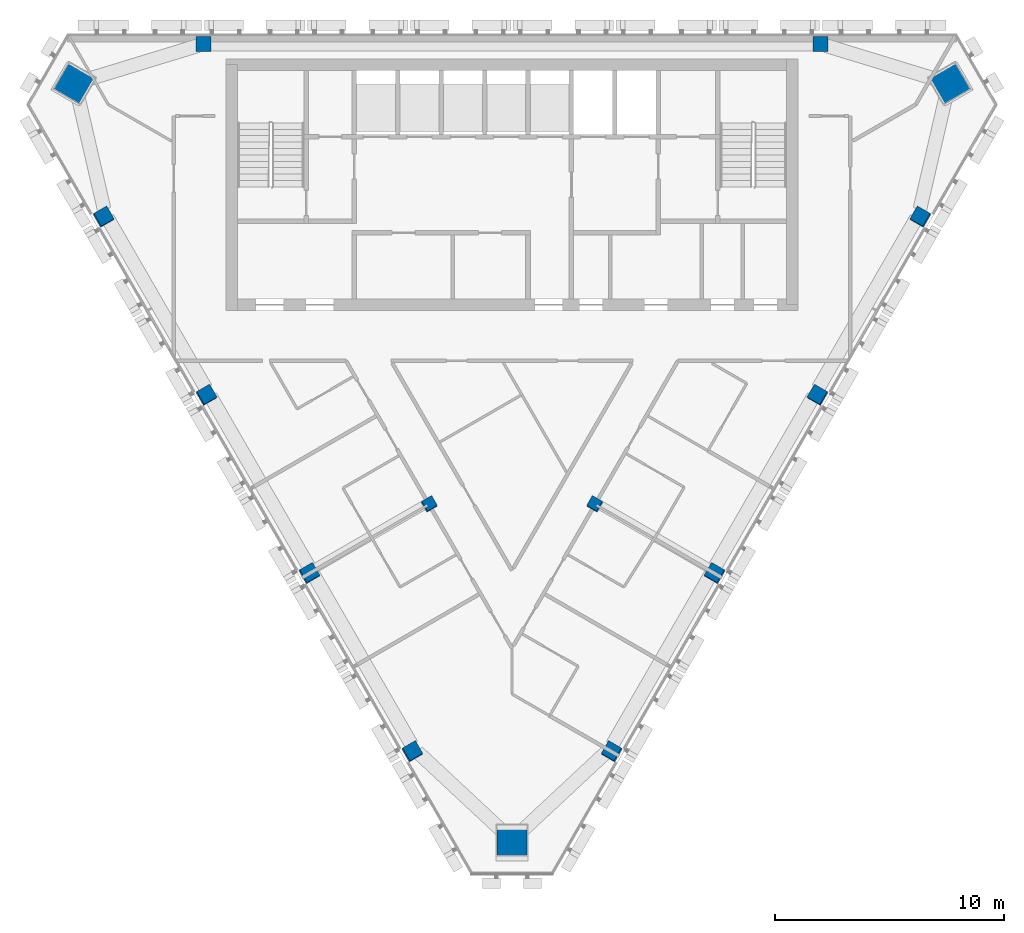
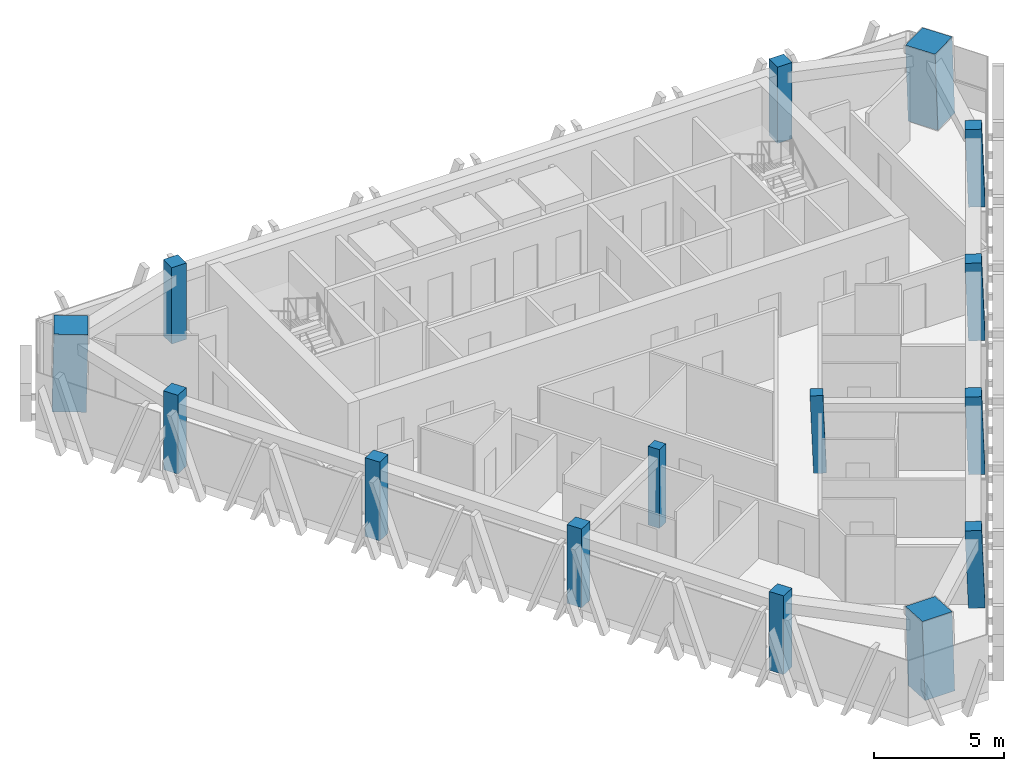
# One storey, part 1 of 11: 15 columns.
"""IFC4 building model written with IfcOpenShell, lengths in metres."""

from ifc_helpers import new_model, si_unit, direction, frame, origin, origin_2d, place, context, subcontext, project, spatial, rectangle, extrude, material, material_profile, profile_set, type_object, element, save


model = new_model("IFC4")

# Units and contexts
model_context = context("Model", 3, precision=1e-05, world=origin(), true_north=direction((0.0, 1.0)))
body_context = subcontext(model_context, "Body", "Model", "MODEL_VIEW")
ifc_project = project(units=[si_unit("LENGTHUNIT", "METRE"), si_unit("AREAUNIT", "SQUARE_METRE"), si_unit("VOLUMEUNIT", "CUBIC_METRE"), si_unit("PLANEANGLEUNIT", "RADIAN"), si_unit("MASSUNIT", "GRAM", prefix="KILO")], contexts=[model_context])

# Site, building, storey
site_placement = place(None, origin())
site = spatial("IfcSite", under=ifc_project, at=site_placement, CompositionType="ELEMENT")
building_placement = place(site_placement, origin())
building = spatial("IfcBuilding", under=site, at=building_placement, Name="Altiplano Prism Tower", CompositionType="ELEMENT")
storey_placement = place(building_placement, frame((0.0, 0.0, 327.39990234375)))
storey = spatial("IfcBuildingStorey", under=building, at=storey_placement, Name="L85", CompositionType="ELEMENT", Elevation=327.39990234375)

# Columns
ifc_material_1 = material(Name="Concrete C60/75", Category="concrete")
ifc_material_profile_1 = material_profile(ifc_material_1, rectangle(XDim=0.5, YDim=0.5, at=origin_2d()), Name="Inner column 500")
ifc_profile_set_1 = profile_set([ifc_material_profile_1], Name="Concrete C60/75")
column_type_1 = type_object("IfcColumnType", Name="Inner column 500", PredefinedType="COLUMN", material=ifc_profile_set_1)
for number, where, z_axis, x_axis, name in (
    (1, (81.366943359375, 84.4130859375, -0.01513671875), (0.02222134892, 0.038480872521, 0.999012229206), (-0.865639410047, -0.499186822153, 0.038482832055), "Inner column I13 L85"),
    (2, (88.633056640625, 84.4130859375, -0.01513671875), (-0.02222134892, 0.038480872521, 0.999012229206), (-0.500174592943, -0.865639497158, 0.022217955235), "Inner column I22 L85"),
):
    element("IfcColumn", number, at=place(storey_placement, frame(where, z_axis=z_axis, x_axis=x_axis)), inside=storey, type_object=column_type_1, Name=name, PredefinedType="COLUMN", context=body_context, shape_type="SweptSolid", body=[
        extrude(rectangle(XDim=0.5, YDim=0.5, at=origin_2d()), origin(), (0.0, 0.0, 1.0), 3.603759765625),
    ])
ifc_material_2 = material(Name="Concrete C70/85", Category="concrete")
ifc_material_profile_2 = material_profile(ifc_material_2, rectangle(XDim=1.320068359375, YDim=1.320068359375, at=origin_2d()), Name="Mega column infill 1400")
ifc_profile_set_2 = profile_set([ifc_material_profile_2], Name="Concrete C70/85")
column_type_2 = type_object("IfcColumnType", Name="Mega column infill 1400", PredefinedType="COLUMN", material=ifc_profile_set_2)
column_1_placement = place(storey_placement, frame((65.78515625, 102.801025390625, 0.0), z_axis=(0.028401814599, 0.009218727412, 0.999554076572), x_axis=(-0.865120123322, 0.501167417498, 0.019959756062)))
element("IfcColumn", 3, at=column_1_placement, inside=storey, type_object=column_type_2, Name="Mega column M0 L85", PredefinedType="COLUMN", context=body_context, shape_type="SweptSolid", body=[
    extrude(rectangle(XDim=1.320068359375, YDim=1.320068359375, at=origin_2d()), origin(), (0.0, 0.0, 1.0), 3.601806640625),
])
column_2_placement = place(storey_placement, frame((85.0, 69.519775390625, 0.0), z_axis=(0.0, 0.058356907999, 0.998295783467), x_axis=(-1.0, 0.0, 0.0)))
element("IfcColumn", 4, at=column_2_placement, inside=storey, type_object=column_type_2, Name="Mega column M1 L85", PredefinedType="COLUMN", context=body_context, shape_type="SweptSolid", body=[
    extrude(rectangle(XDim=1.320068359375, YDim=1.320068359375, at=origin_2d()), origin(), (0.0, 0.0, 1.0), 3.606201171875),
])
column_3_placement = place(storey_placement, frame((104.21484375, 102.801025390625, 0.0), z_axis=(-0.028401814599, 0.009218727412, 0.999554076572), x_axis=(0.500757440285, -0.865302682537, 0.02220931319)))
element("IfcColumn", 5, at=column_3_placement, inside=storey, type_object=column_type_2, Name="Mega column M2 L85", PredefinedType="COLUMN", context=body_context, shape_type="SweptSolid", body=[
    extrude(rectangle(XDim=1.320068359375, YDim=1.320068359375, at=origin_2d()), origin(), (0.0, 0.0, 1.0), 3.601806640625),
])
ifc_material_profile_3 = material_profile(ifc_material_1, rectangle(XDim=0.64990234375, YDim=0.64990234375, at=origin_2d()), Name="Perimeter column 650")
ifc_profile_set_3 = profile_set([ifc_material_profile_3], Name="Concrete C60/75")
column_type_3 = type_object("IfcColumnType", Name="Perimeter column 650", PredefinedType="COLUMN", material=ifc_profile_set_3)
for number, where, z_axis, x_axis, name in (
    (6, (98.5, 104.550048828125, 0.0), (0.0, 0.0, 1.0), (1.0, 0.0, 0.0), "Perimeter column P01 L85"),
    (7, (71.5, 104.550048828125, 0.0), (0.0, 0.0, 1.0), (1.0, 0.0, 0.0), "Perimeter column P04 L85"),
):
    element("IfcColumn", number, at=place(storey_placement, frame(where, z_axis=z_axis, x_axis=x_axis)), inside=storey, type_object=column_type_3, Name=name, PredefinedType="COLUMN", context=body_context, shape_type="SweptSolid", body=[
        extrude(rectangle(XDim=0.64990234375, YDim=0.64990234375, at=origin_2d()), origin(), (0.0, 0.0, 1.0), 3.60009765625),
    ])
for number, where, z_axis, x_axis, name in (
    (8, (67.12744140625, 96.9765625, -0.01953125), (0.022222910879, 0.038415824599, 0.999014697916), (-0.866025550624, -0.498520341777, 0.03843454828), "Perimeter column P11 L85"),
    (9, (71.62744140625, 89.182373046875, -0.01953125), (0.022222910879, 0.038415824599, 0.999014697916), (-0.866023998813, -0.498523032246, 0.038434617219), "Perimeter column P12 L85"),
    (10, (76.12744140625, 81.387939453125, -0.01953125), (0.022222852987, 0.038483477124, 0.999012095419), (-0.865639352107, -0.499186721818, 0.038485436791), "Perimeter column P13 L85"),
    (11, (80.62744140625, 73.59375, -0.01953125), (0.022222852987, 0.038483477124, 0.999012095419), (-0.865637798217, -0.499189411085, 0.03848550582), "Perimeter column P14 L85"),
    (12, (89.37255859375, 73.59375, -0.01953125), (-0.022222852987, 0.038483477124, 0.999012095419), (-0.500177315662, -0.865637888409, 0.02221933951), "Perimeter column P21 L85"),
    (13, (93.87255859375, 81.387939453125, -0.01953125), (-0.022222852987, 0.038483477124, 0.999012095419), (-0.500174626395, -0.865639439229, 0.022219459073), "Perimeter column P22 L85"),
    (14, (98.37255859375, 89.182373046875, -0.01953125), (-0.022222910879, 0.038415824599, 0.999014697916), (-0.499508333977, -0.866024832635, 0.02219039312), "Perimeter column P23 L85"),
    (15, (102.87255859375, 96.9765625, -0.01953125), (-0.022222910879, 0.038415824599, 0.999014697916), (-0.49950564351, -0.866026381385, 0.022190512525), "Perimeter column P24 L85"),
):
    element("IfcColumn", number, at=place(storey_placement, frame(where, z_axis=z_axis, x_axis=x_axis)), inside=storey, type_object=column_type_3, Name=name, PredefinedType="COLUMN", context=body_context, shape_type="SweptSolid", body=[
        extrude(rectangle(XDim=0.64990234375, YDim=0.64990234375, at=origin_2d()), origin(), (0.0, 0.0, 1.0), 3.603515625),
    ])

save(model, "model.ifc")
